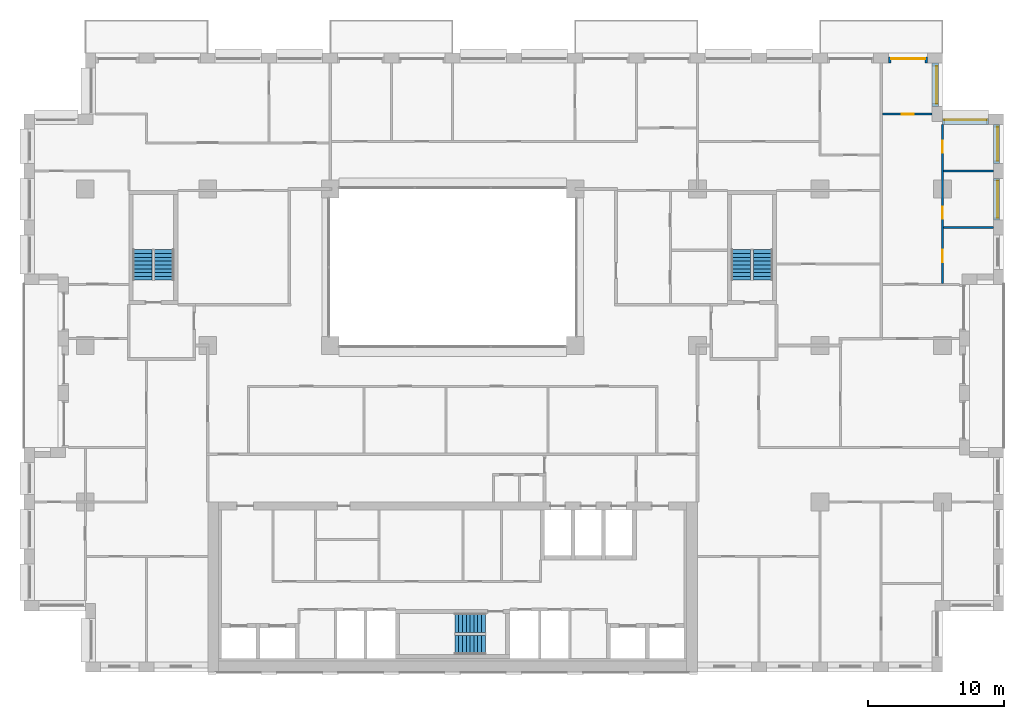
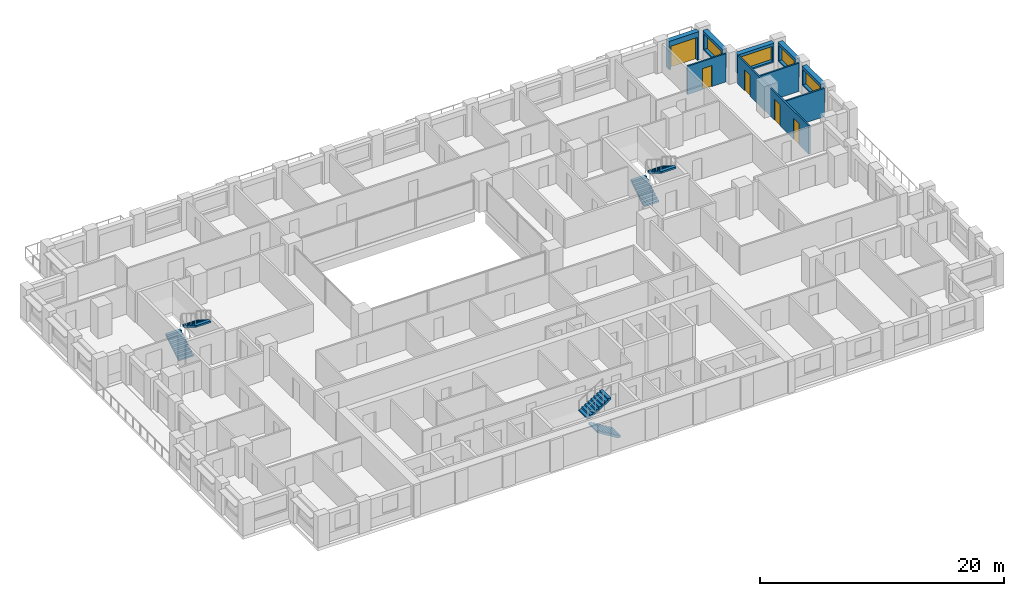
# One storey, part 15 of 17: 9 walls, 6 stair flights, 5 doors, 4 windows, 9 openings, 3 elements without a shape of their own.
"""IFC4 building model written with IfcOpenShell, lengths in metres."""

from ifc_helpers import new_model, si_unit, direction, frame, frame_2d, origin, place, context, subcontext, project, spatial, polyline, rectangle, outline, extrude, material, layer, layer_set, type_object, element, fill, aggregate, save


model = new_model("IFC4")

# Units and contexts
model_context = context("Model", 3, precision=1e-05, world=origin(), true_north=direction((0.0, 1.0)))
body_context = subcontext(model_context, "Body", "Model", "MODEL_VIEW")
ifc_project = project(units=[si_unit("LENGTHUNIT", "METRE"), si_unit("AREAUNIT", "SQUARE_METRE"), si_unit("VOLUMEUNIT", "CUBIC_METRE"), si_unit("PLANEANGLEUNIT", "RADIAN"), si_unit("MASSUNIT", "GRAM", prefix="KILO")], contexts=[model_context])

# Site, building, storey
site_placement = place(None, origin())
site = spatial("IfcSite", under=ifc_project, at=site_placement, CompositionType="ELEMENT")
building_placement = place(site_placement, origin())
building = spatial("IfcBuilding", under=site, at=building_placement, Name="Brigalow Station Residences", CompositionType="ELEMENT")
storey_placement = place(building_placement, frame((0.0, 0.0, 111.89990234375)))
storey = spatial("IfcBuildingStorey", under=building, at=storey_placement, Name="L32", CompositionType="ELEMENT", Elevation=111.89990234375)

# Wall, opening, window
ifc_material_1 = material(Name="Clay brick masonry", Category="masonry")
ifc_layer_1 = layer(ifc_material_1, 0.449951171875)
ifc_layer_set_1 = layer_set([ifc_layer_1], Name="BRICK INFILL WALL 450")
wall_type_1 = type_object("IfcWallType", Name="BRICK INFILL WALL 450", PredefinedType="SOLIDWALL", material=ifc_layer_set_1)
wall_1_placement = place(storey_placement, frame((75.97509765625, 33.217041015625, 0.900146484375), z_axis=(0.0, 0.0, 1.0), x_axis=(0.0, 1.0, 0.0)))
wall_1 = element("IfcWall", 1, at=wall_1_placement, inside=storey, type_object=wall_type_1, Name="L32/ewall/W-L32-19", PredefinedType="SOLIDWALL", context=body_context, shape_type="SweptSolid", body=[
    extrude(rectangle(XDim=3.06591796875, YDim=0.449951171875, at=frame_2d((1.532958984375, 0.0))), origin(), (0.0, 0.0, 1.0), 1.929931640625),
])
opening_1_placement = place(wall_1_placement, frame((0.157958984375, 0.0, 0.14990234375)))
opening_1 = element("IfcOpeningElement", 2, at=opening_1_placement, cuts=wall_1, Name="Opening WT-3", PredefinedType="OPENING", context=body_context, shape_type="SweptSolid", body=[
    extrude(rectangle(XDim=2.75, YDim=1.5, at=frame_2d((1.375, 0.75))), frame((0.0, 0.23486328125, 0.0), z_axis=(0.0, -1.0, 0.0), x_axis=(1.0, 0.0, 0.0)), (0.0, 0.0, 1.0), 0.469970703125),
])
ifc_material_2 = material(Name="Anodised aluminium frame with double glazing", Category="aluminium")
window_type_1 = type_object("IfcWindowType", Name="WINDOW 2750x1500", PartitioningType="SINGLE_PANEL", PredefinedType="WINDOW", material=ifc_material_2)
window_1_placement = place(opening_1_placement, origin())
window_1 = element("IfcWindow", 3, at=window_1_placement, inside=storey, type_object=window_type_1, Name="L32/window/W-L32-19", OverallHeight=1.5, OverallWidth=2.75, PartitioningType="SINGLE_PANEL", PredefinedType="WINDOW", context=body_context, shape_type="SweptSolid", body=[
    extrude(rectangle(XDim=2.75, YDim=1.5, at=frame_2d((1.375, 0.75))), frame((0.0, -0.06494140625, 0.0), z_axis=(0.0, -1.0, 0.0), x_axis=(1.0, 0.0, 0.0)), (0.0, 0.0, 1.0), 0.06005859375),
])
fill(opening_1, window_1)

wall_2_placement = place(storey_placement, frame((75.97509765625, 37.383056640625, 0.900146484375), z_axis=(0.0, 0.0, 1.0), x_axis=(0.0, 1.0, 0.0)))
wall_2 = element("IfcWall", 4, at=wall_2_placement, inside=storey, type_object=wall_type_1, Name="L32/ewall/W-L32-20", PredefinedType="SOLIDWALL", context=body_context, shape_type="SweptSolid", body=[
    extrude(rectangle(XDim=2.866943359375, YDim=0.449951171875, at=frame_2d((1.43359375, 0.0))), origin(), (0.0, 0.0, 1.0), 1.929931640625),
])
opening_2_placement = place(wall_2_placement, frame((0.18359375, 0.0, 0.14990234375)))
opening_2 = element("IfcOpeningElement", 5, at=opening_2_placement, cuts=wall_2, Name="Opening WT-5", PredefinedType="OPENING", context=body_context, shape_type="SweptSolid", body=[
    extrude(rectangle(XDim=2.5, YDim=1.5, at=frame_2d((1.25, 0.75))), frame((0.0, 0.23486328125, 0.0), z_axis=(0.0, -1.0, 0.0), x_axis=(1.0, 0.0, 0.0)), (0.0, 0.0, 1.0), 0.469970703125),
])
ifc_material_3 = material(Name="Anodised aluminium frame with double glazing", Category="aluminium")
window_type_2 = type_object("IfcWindowType", Name="WINDOW 2500x1500", PartitioningType="SINGLE_PANEL", PredefinedType="WINDOW", material=ifc_material_3)
window_2_placement = place(opening_2_placement, origin())
window_2 = element("IfcWindow", 6, at=window_2_placement, inside=storey, type_object=window_type_2, Name="L32/window/W-L32-20", OverallHeight=1.5, OverallWidth=2.5, PartitioningType="SINGLE_PANEL", PredefinedType="WINDOW", context=body_context, shape_type="SweptSolid", body=[
    extrude(rectangle(XDim=2.5, YDim=1.5, at=frame_2d((1.25, 0.75))), frame((0.0, -0.06494140625, 0.0), z_axis=(0.0, -1.0, 0.0), x_axis=(1.0, 0.0, 0.0)), (0.0, 0.0, 1.0), 0.06005859375),
])
fill(opening_2, window_2)

wall_3_placement = place(storey_placement, frame((75.39990234375, 40.47509765625, 0.900146484375), z_axis=(0.0, 0.0, 1.0), x_axis=(-1.0, 0.0, 0.0)))
wall_3 = element("IfcWall", 7, at=wall_3_placement, inside=storey, type_object=wall_type_1, Name="L32/ewall/W-L32-21", PredefinedType="SOLIDWALL", context=body_context, shape_type="SweptSolid", body=[
    extrude(rectangle(XDim=3.39990234375, YDim=0.449951171875, at=frame_2d((1.699951171875, 0.0))), origin(), (0.0, 0.0, 1.0), 1.929931640625),
])
opening_3_placement = place(wall_3_placement, frame((0.14990234375, 0.0, 0.14990234375)))
opening_3 = element("IfcOpeningElement", 8, at=opening_3_placement, cuts=wall_3, Name="Opening WT-8", PredefinedType="OPENING", context=body_context, shape_type="SweptSolid", body=[
    extrude(rectangle(XDim=3.10009765625, YDim=1.5, at=frame_2d((1.550048828125, 0.75))), frame((0.0, 0.23486328125, 0.0), z_axis=(0.0, -1.0, 0.0), x_axis=(1.0, 0.0, 0.0)), (0.0, 0.0, 1.0), 0.469970703125),
])
ifc_material_4 = material(Name="Anodised aluminium frame with double glazing", Category="aluminium")
window_type_3 = type_object("IfcWindowType", Name="WINDOW 3100x1500", PartitioningType="SINGLE_PANEL", PredefinedType="WINDOW", material=ifc_material_4)
window_3_placement = place(opening_3_placement, origin())
window_3 = element("IfcWindow", 9, at=window_3_placement, inside=storey, type_object=window_type_3, Name="L32/window/W-L32-21", OverallHeight=1.5, OverallWidth=3.10009765625, PartitioningType="SINGLE_PANEL", PredefinedType="WINDOW", context=body_context, shape_type="SweptSolid", body=[
    extrude(rectangle(XDim=3.10009765625, YDim=1.5, at=frame_2d((1.550048828125, 0.75))), frame((0.0, -0.06494140625, 0.0), z_axis=(0.0, -1.0, 0.0), x_axis=(1.0, 0.0, 0.0)), (0.0, 0.0, 1.0), 0.06005859375),
])
fill(opening_3, window_3)

wall_4_placement = place(storey_placement, frame((71.47509765625, 41.550048828125, 0.900146484375), z_axis=(0.0, 0.0, 1.0), x_axis=(0.0, 1.0, 0.0)))
wall_4 = element("IfcWall", 10, at=wall_4_placement, inside=storey, type_object=wall_type_1, Name="L32/ewall/W-L32-22", PredefinedType="SOLIDWALL", context=body_context, shape_type="SweptSolid", body=[
    extrude(rectangle(XDim=3.199951171875, YDim=0.449951171875, at=frame_2d((1.60009765625, 0.0))), origin(), (0.0, 0.0, 1.0), 1.929931640625),
])
opening_4_placement = place(wall_4_placement, frame((0.22509765625, 0.0, 0.14990234375)))
opening_4 = element("IfcOpeningElement", 11, at=opening_4_placement, cuts=wall_4, Name="Opening WT-3", PredefinedType="OPENING", context=body_context, shape_type="SweptSolid", body=[
    extrude(rectangle(XDim=2.75, YDim=1.5, at=frame_2d((1.375, 0.75))), frame((0.0, 0.23486328125, 0.0), z_axis=(0.0, -1.0, 0.0), x_axis=(1.0, 0.0, 0.0)), (0.0, 0.0, 1.0), 0.469970703125),
])
window_4_placement = place(opening_4_placement, origin())
window_4 = element("IfcWindow", 12, at=window_4_placement, inside=storey, type_object=window_type_1, Name="L32/window/W-L32-22", OverallHeight=1.5, OverallWidth=2.75, PartitioningType="SINGLE_PANEL", PredefinedType="WINDOW", context=body_context, shape_type="SweptSolid", body=[
    extrude(rectangle(XDim=2.75, YDim=1.5, at=frame_2d((1.375, 0.75))), frame((0.0, -0.06494140625, 0.0), z_axis=(0.0, -1.0, 0.0), x_axis=(1.0, 0.0, 0.0)), (0.0, 0.0, 1.0), 0.06005859375),
])
fill(opening_4, window_4)

# Wall, opening, door
wall_5_placement = place(storey_placement, frame((70.89990234375, 44.97509765625, 0.0), z_axis=(0.0, 0.0, 1.0), x_axis=(-1.0, 0.0, 0.0)))
wall_5 = element("IfcWall", 13, at=wall_5_placement, inside=storey, type_object=wall_type_1, Name="L32/ewall/W-L32-23", PredefinedType="SOLIDWALL", context=body_context, shape_type="SweptSolid", body=[
    extrude(rectangle(XDim=2.849853515625, YDim=0.449951171875, at=frame_2d((1.4248046875, 0.0))), origin(), (0.0, 0.0, 1.0), 2.830078125),
])
opening_5_placement = place(wall_5_placement, frame((0.175048828125, 0.0, 0.0)))
opening_5 = element("IfcOpeningElement", 14, at=opening_5_placement, cuts=wall_5, Name="Opening D-B2500", PredefinedType="OPENING", context=body_context, shape_type="SweptSolid", body=[
    extrude(rectangle(XDim=2.5, YDim=2.300048828125, at=frame_2d((1.25, 1.14990234375))), frame((0.0, 0.23486328125, 0.0), z_axis=(0.0, -1.0, 0.0), x_axis=(1.0, 0.0, 0.0)), (0.0, 0.0, 1.0), 0.469970703125),
])
ifc_material_5 = material(Name="Anodised aluminium frame with double glazing", Category="aluminium")
door_type_1 = type_object("IfcDoorType", Name="BALCONY SLIDING DOOR 2500x2300", OperationType="SLIDING_TO_LEFT", PredefinedType="DOOR", material=ifc_material_5)
door_1_placement = place(opening_5_placement, origin())
door_1 = element("IfcDoor", 15, at=door_1_placement, inside=storey, type_object=door_type_1, Name="L32/balcony-door/W-L32-23", OperationType="SLIDING_TO_LEFT", OverallHeight=2.300048828125, OverallWidth=2.5, PredefinedType="DOOR", context=body_context, shape_type="SweptSolid", body=[
    extrude(rectangle(XDim=2.5, YDim=2.300048828125, at=frame_2d((1.25, 1.14990234375))), frame((0.0, -0.06982421875, 0.0), z_axis=(0.0, -1.0, 0.0), x_axis=(1.0, 0.0, 0.0)), (0.0, 0.0, 1.0), 0.050048828125),
])
fill(opening_5, door_1)

# Wall
ifc_material_6 = material(Name="Plasterboard on steel stud partition", Category="steel")
ifc_layer_2 = layer(ifc_material_6, 0.14990234375)
ifc_layer_set_2 = layer_set([ifc_layer_2], Name="FLAT PARTITION 150")
wall_type_2 = type_object("IfcWallType", Name="FLAT PARTITION 150", PredefinedType="PARTITIONING", material=ifc_layer_set_2)
wall_6_placement = place(storey_placement, frame((72.074951171875, 36.8330078125, 0.0), z_axis=(0.0, 0.0, 1.0), x_axis=(1.0, 0.0, 0.0)))
element("IfcWall", 16, at=wall_6_placement, inside=storey, type_object=wall_type_2, Name="PW-2D22", PredefinedType="PARTITIONING", context=body_context, shape_type="SweptSolid", body=[
    extrude(rectangle(XDim=3.675048828125, YDim=0.14990234375, at=frame_2d((1.83740234375, 0.0))), origin(), (0.0, 0.0, 1.0), 2.830078125),
])

# Wall, opening, door
wall_7_placement = place(storey_placement, frame((67.60009765625, 41.0, 0.0), z_axis=(0.0, 0.0, 1.0), x_axis=(1.0, 0.0, 0.0)))
wall_7 = element("IfcWall", 17, at=wall_7_placement, inside=storey, type_object=wall_type_2, Name="PW-2D28", PredefinedType="PARTITIONING", context=body_context, shape_type="SweptSolid", body=[
    extrude(rectangle(XDim=3.64990234375, YDim=0.14990234375, at=frame_2d((1.824951171875, 0.0))), origin(), (0.0, 0.0, 1.0), 2.830078125),
])
opening_6_placement = place(wall_7_placement, frame((1.39990234375, 0.0, 0.0)))
opening_6 = element("IfcOpeningElement", 18, at=opening_6_placement, cuts=wall_7, Name="Opening D-2D47", PredefinedType="OPENING", context=body_context, shape_type="SweptSolid", body=[
    extrude(rectangle(XDim=0.89990234375, YDim=2.10009765625, at=frame_2d((0.449951171875, 1.050048828125))), frame((0.0, 0.0849609375, 0.0), z_axis=(0.0, -1.0, 0.0), x_axis=(1.0, 0.0, 0.0)), (0.0, 0.0, 1.0), 0.169921875),
])
ifc_material_7 = material(Name="Solid-core timber door leaf", Category="wood")
door_type_2 = type_object("IfcDoorType", Name="INTERNAL DOOR 900 x 2100", OperationType="SINGLE_SWING_LEFT", PredefinedType="DOOR", material=ifc_material_7)
door_2_placement = place(opening_6_placement, origin())
door_2 = element("IfcDoor", 19, at=door_2_placement, inside=storey, type_object=door_type_2, Name="D-2D47", OperationType="SINGLE_SWING_RIGHT", OverallHeight=2.10009765625, OverallWidth=0.89990234375, PredefinedType="DOOR", context=body_context, shape_type="SweptSolid", body=[
    extrude(rectangle(XDim=0.89990234375, YDim=2.10009765625, at=frame_2d((0.449951171875, 1.050048828125))), frame((0.0, 0.02490234375, 0.0), z_axis=(0.0, -1.0, 0.0), x_axis=(1.0, 0.0, 0.0)), (0.0, 0.0, 1.0), 0.050048828125),
])
fill(opening_6, door_2)

# Wall
wall_8_placement = place(storey_placement, frame((72.074951171875, 32.6669921875, 0.0), z_axis=(0.0, 0.0, 1.0), x_axis=(1.0, 0.0, 0.0)))
element("IfcWall", 20, at=wall_8_placement, inside=storey, type_object=wall_type_2, Name="PW-2D36", PredefinedType="PARTITIONING", context=body_context, shape_type="SweptSolid", body=[
    extrude(rectangle(XDim=3.675048828125, YDim=0.14990234375, at=frame_2d((1.83740234375, 0.0))), origin(), (0.0, 0.0, 1.0), 2.830078125),
])

# Wall, openings, doors
wall_9_placement = place(storey_placement, frame((72.0, 28.574951171875, 0.0), z_axis=(0.0, 0.0, 1.0), x_axis=(0.0, 1.0, 0.0)))
wall_9 = element("IfcWall", 21, at=wall_9_placement, inside=storey, type_object=wall_type_2, Name="PW-2D67", PredefinedType="PARTITIONING", context=body_context, shape_type="SweptSolid", body=[
    extrude(rectangle(XDim=11.675048828125, YDim=0.14990234375, at=frame_2d((5.83740234375, 0.0))), origin(), (0.0, 0.0, 1.0), 2.830078125),
])
opening_7_placement = place(wall_9_placement, frame((1.55908203125, 0.0, 0.0)))
opening_7 = element("IfcOpeningElement", 22, at=opening_7_placement, cuts=wall_9, Name="Opening D-2D44", PredefinedType="OPENING", context=body_context, shape_type="SweptSolid", body=[
    extrude(rectangle(XDim=0.89990234375, YDim=2.10009765625, at=frame_2d((0.449951171875, 1.050048828125))), frame((0.0, 0.0849609375, 0.0), z_axis=(0.0, -1.0, 0.0), x_axis=(1.0, 0.0, 0.0)), (0.0, 0.0, 1.0), 0.169921875),
])
opening_8_placement = place(wall_9_placement, frame((4.73291015625, 0.0, 0.0)))
opening_8 = element("IfcOpeningElement", 23, at=opening_8_placement, cuts=wall_9, Name="Opening D-2D45", PredefinedType="OPENING", context=body_context, shape_type="SweptSolid", body=[
    extrude(rectangle(XDim=0.89990234375, YDim=2.10009765625, at=frame_2d((0.449951171875, 1.050048828125))), frame((0.0, 0.0849609375, 0.0), z_axis=(0.0, -1.0, 0.0), x_axis=(1.0, 0.0, 0.0)), (0.0, 0.0, 1.0), 0.169921875),
])
opening_9_placement = place(wall_9_placement, frame((9.592041015625, 0.0, 0.0)))
opening_9 = element("IfcOpeningElement", 24, at=opening_9_placement, cuts=wall_9, Name="Opening D-2D46", PredefinedType="OPENING", context=body_context, shape_type="SweptSolid", body=[
    extrude(rectangle(XDim=0.89990234375, YDim=2.10009765625, at=frame_2d((0.449951171875, 1.050048828125))), frame((0.0, 0.0849609375, 0.0), z_axis=(0.0, -1.0, 0.0), x_axis=(1.0, 0.0, 0.0)), (0.0, 0.0, 1.0), 0.169921875),
])
door_3_placement = place(opening_7_placement, frame((0.89990234375, 0.0, 0.0), z_axis=(0.0, 0.0, 1.0), x_axis=(-1.0, 0.0, 0.0)))
door_3 = element("IfcDoor", 25, at=door_3_placement, inside=storey, type_object=door_type_2, Name="D-2D44", OperationType="SINGLE_SWING_LEFT", OverallHeight=2.10009765625, OverallWidth=0.89990234375, PredefinedType="DOOR", context=body_context, shape_type="SweptSolid", body=[
    extrude(rectangle(XDim=0.89990234375, YDim=2.10009765625, at=frame_2d((0.449951171875, 1.050048828125))), frame((0.0, 0.02490234375, 0.0), z_axis=(0.0, -1.0, 0.0), x_axis=(1.0, 0.0, 0.0)), (0.0, 0.0, 1.0), 0.050048828125),
])
fill(opening_7, door_3)
door_4_placement = place(opening_8_placement, frame((0.89990234375, 0.0, 0.0), z_axis=(0.0, 0.0, 1.0), x_axis=(-1.0, 0.0, 0.0)))
door_4 = element("IfcDoor", 26, at=door_4_placement, inside=storey, type_object=door_type_2, Name="D-2D45", OperationType="SINGLE_SWING_RIGHT", OverallHeight=2.10009765625, OverallWidth=0.89990234375, PredefinedType="DOOR", context=body_context, shape_type="SweptSolid", body=[
    extrude(rectangle(XDim=0.89990234375, YDim=2.10009765625, at=frame_2d((0.449951171875, 1.050048828125))), frame((0.0, 0.02490234375, 0.0), z_axis=(0.0, -1.0, 0.0), x_axis=(1.0, 0.0, 0.0)), (0.0, 0.0, 1.0), 0.050048828125),
])
fill(opening_8, door_4)
door_5_placement = place(opening_9_placement, frame((0.89990234375, 0.0, 0.0), z_axis=(0.0, 0.0, 1.0), x_axis=(-1.0, 0.0, 0.0)))
door_5 = element("IfcDoor", 27, at=door_5_placement, inside=storey, type_object=door_type_2, Name="D-2D46", OperationType="SINGLE_SWING_LEFT", OverallHeight=2.10009765625, OverallWidth=0.89990234375, PredefinedType="DOOR", context=body_context, shape_type="SweptSolid", body=[
    extrude(rectangle(XDim=0.89990234375, YDim=2.10009765625, at=frame_2d((0.449951171875, 1.050048828125))), frame((0.0, 0.02490234375, 0.0), z_axis=(0.0, -1.0, 0.0), x_axis=(1.0, 0.0, 0.0)), (0.0, 0.0, 1.0), 0.050048828125),
])
fill(opening_9, door_5)

# Stair, stair flights
ifc_material_8 = material(Name="Concrete C50", Category="concrete")
stair_type = type_object("IfcStairType", Name="EXIT STAIR 1400 2 FLIGHT", PredefinedType="HALF_TURN_STAIR", material=ifc_material_8)
stair_1_placement = place(storey_placement, origin())
stair_1 = element("IfcStair", 28, at=stair_1_placement, inside=storey, type_object=stair_type, Name="EXIT STAIR S2 L32", PredefinedType="HALF_TURN_STAIR")
ifc_material_9 = material(Name="Concrete C50", Category="concrete")
stair_flight_type = type_object("IfcStairFlightType", Name="STAIR FLIGHT 1400", PredefinedType="STRAIGHT", material=ifc_material_9)
stair_flight_1_placement = place(storey_placement, frame((38.39990234375, 2.0, 0.0), z_axis=(0.0, 0.0, 1.0), x_axis=(-1.0, 0.0, 0.0)))
stair_flight_1 = element("IfcStairFlight", 29, at=stair_flight_1_placement, type_object=stair_flight_type, Name="ST-2 flight 1", NumberOfRisers=9, NumberOfTreads=8, PredefinedType="STRAIGHT", RiserHeight=0.175, TreadLength=0.28, context=body_context, shape_type="SweptSolid", body=[
    extrude(outline(polyline([(0.0, 0.0), (0.0, 0.175048828125), (0.280029296875, 0.175048828125), (0.280029296875, 0.35009765625), (0.56005859375, 0.35009765625), (0.56005859375, 0.52490234375), (0.840087890625, 0.52490234375), (0.840087890625, 0.699951171875), (1.1201171875, 0.699951171875), (1.1201171875, 0.875), (1.39990234375, 0.875), (1.39990234375, 1.050048828125), (1.679931640625, 1.050048828125), (1.679931640625, 1.22509765625), (1.9599609375, 1.22509765625), (1.9599609375, 1.39990234375), (2.239990234375, 1.39990234375), (2.239990234375, 1.574951171875), (2.239990234375, 1.22314453125), (0.28271484375, 0.0), (0.0, 0.0)])), frame((0.0, 0.699951171875, 0.0), z_axis=(0.0, -1.0, 0.0), x_axis=(1.0, 0.0, 0.0)), (0.0, 0.0, 1.0), 1.39990234375),
])
stair_flight_2_placement = place(storey_placement, frame((36.159912109375, 3.60009765625, 1.5751953125), z_axis=(0.0, 0.0, 1.0), x_axis=(1.0, 0.0, 0.0)))
stair_flight_2 = element("IfcStairFlight", 30, at=stair_flight_2_placement, type_object=stair_flight_type, Name="ST-2 flight 2", NumberOfRisers=9, NumberOfTreads=8, PredefinedType="STRAIGHT", RiserHeight=0.175, TreadLength=0.28, context=body_context, shape_type="SweptSolid", body=[
    extrude(outline(polyline([(0.0, 0.0), (0.0, 0.175048828125), (0.280029296875, 0.175048828125), (0.280029296875, 0.35009765625), (0.56005859375, 0.35009765625), (0.56005859375, 0.52490234375), (0.840087890625, 0.52490234375), (0.840087890625, 0.699951171875), (1.1201171875, 0.699951171875), (1.1201171875, 0.875), (1.39990234375, 0.875), (1.39990234375, 1.050048828125), (1.679931640625, 1.050048828125), (1.679931640625, 1.22509765625), (1.9599609375, 1.22509765625), (1.9599609375, 1.39990234375), (2.239990234375, 1.39990234375), (2.239990234375, 1.574951171875), (2.239990234375, 1.22314453125), (0.28271484375, 0.0), (0.0, 0.0)])), frame((0.0, 0.699951171875, 0.0), z_axis=(0.0, -1.0, 0.0), x_axis=(1.0, 0.0, 0.0)), (0.0, 0.0, 1.0), 1.39990234375),
])
aggregate(stair_1, [stair_flight_1, stair_flight_2])

stair_2_placement = place(storey_placement, origin())
stair_2 = element("IfcStair", 31, at=stair_2_placement, inside=storey, type_object=stair_type, Name="EXIT STAIR S1 L32", PredefinedType="HALF_TURN_STAIR")
stair_flight_3_placement = place(storey_placement, frame((13.199951171875, 28.800048828125, 0.0), z_axis=(0.0, 0.0, 1.0), x_axis=(0.0, 1.0, 0.0)))
stair_flight_3 = element("IfcStairFlight", 32, at=stair_flight_3_placement, type_object=stair_flight_type, Name="ST-1 flight 1", NumberOfRisers=9, NumberOfTreads=8, PredefinedType="STRAIGHT", RiserHeight=0.175, TreadLength=0.28, context=body_context, shape_type="SweptSolid", body=[
    extrude(outline(polyline([(0.0, 0.0), (0.0, 0.175048828125), (0.280029296875, 0.175048828125), (0.280029296875, 0.35009765625), (0.56005859375, 0.35009765625), (0.56005859375, 0.52490234375), (0.840087890625, 0.52490234375), (0.840087890625, 0.699951171875), (1.1201171875, 0.699951171875), (1.1201171875, 0.875), (1.39990234375, 0.875), (1.39990234375, 1.050048828125), (1.679931640625, 1.050048828125), (1.679931640625, 1.22509765625), (1.9599609375, 1.22509765625), (1.9599609375, 1.39990234375), (2.239990234375, 1.39990234375), (2.239990234375, 1.574951171875), (2.239990234375, 1.22314453125), (0.28271484375, 0.0), (0.0, 0.0)])), frame((0.0, 0.699951171875, 0.0), z_axis=(0.0, -1.0, 0.0), x_axis=(1.0, 0.0, 0.0)), (0.0, 0.0, 1.0), 1.39990234375),
])
stair_flight_4_placement = place(storey_placement, frame((14.800048828125, 31.0400390625, 1.5751953125), z_axis=(0.0, 0.0, 1.0), x_axis=(0.0, -1.0, 0.0)))
stair_flight_4 = element("IfcStairFlight", 33, at=stair_flight_4_placement, type_object=stair_flight_type, Name="ST-1 flight 2", NumberOfRisers=9, NumberOfTreads=8, PredefinedType="STRAIGHT", RiserHeight=0.175, TreadLength=0.28, context=body_context, shape_type="SweptSolid", body=[
    extrude(outline(polyline([(0.0, 0.0), (0.0, 0.175048828125), (0.280029296875, 0.175048828125), (0.280029296875, 0.35009765625), (0.56005859375, 0.35009765625), (0.56005859375, 0.52490234375), (0.840087890625, 0.52490234375), (0.840087890625, 0.699951171875), (1.1201171875, 0.699951171875), (1.1201171875, 0.875), (1.39990234375, 0.875), (1.39990234375, 1.050048828125), (1.679931640625, 1.050048828125), (1.679931640625, 1.22509765625), (1.9599609375, 1.22509765625), (1.9599609375, 1.39990234375), (2.239990234375, 1.39990234375), (2.239990234375, 1.574951171875), (2.239990234375, 1.22314453125), (0.28271484375, 0.0), (0.0, 0.0)])), frame((0.0, 0.699951171875, 0.0), z_axis=(0.0, -1.0, 0.0), x_axis=(1.0, 0.0, 0.0)), (0.0, 0.0, 1.0), 1.39990234375),
])
aggregate(stair_2, [stair_flight_3, stair_flight_4])

stair_3_placement = place(storey_placement, origin())
stair_3 = element("IfcStair", 34, at=stair_3_placement, inside=storey, type_object=stair_type, Name="EXIT STAIR S3 L32", PredefinedType="HALF_TURN_STAIR")
stair_flight_5_placement = place(storey_placement, frame((57.199951171875, 28.800048828125, 0.0), z_axis=(0.0, 0.0, 1.0), x_axis=(0.0, 1.0, 0.0)))
stair_flight_5 = element("IfcStairFlight", 35, at=stair_flight_5_placement, type_object=stair_flight_type, Name="ST-3 flight 1", NumberOfRisers=9, NumberOfTreads=8, PredefinedType="STRAIGHT", RiserHeight=0.175, TreadLength=0.28, context=body_context, shape_type="SweptSolid", body=[
    extrude(outline(polyline([(0.0, 0.0), (0.0, 0.175048828125), (0.280029296875, 0.175048828125), (0.280029296875, 0.35009765625), (0.56005859375, 0.35009765625), (0.56005859375, 0.52490234375), (0.840087890625, 0.52490234375), (0.840087890625, 0.699951171875), (1.1201171875, 0.699951171875), (1.1201171875, 0.875), (1.39990234375, 0.875), (1.39990234375, 1.050048828125), (1.679931640625, 1.050048828125), (1.679931640625, 1.22509765625), (1.9599609375, 1.22509765625), (1.9599609375, 1.39990234375), (2.239990234375, 1.39990234375), (2.239990234375, 1.574951171875), (2.239990234375, 1.22314453125), (0.28271484375, 0.0), (0.0, 0.0)])), frame((0.0, 0.699951171875, 0.0), z_axis=(0.0, -1.0, 0.0), x_axis=(1.0, 0.0, 0.0)), (0.0, 0.0, 1.0), 1.39990234375),
])
stair_flight_6_placement = place(storey_placement, frame((58.800048828125, 31.0400390625, 1.5751953125), z_axis=(0.0, 0.0, 1.0), x_axis=(0.0, -1.0, 0.0)))
stair_flight_6 = element("IfcStairFlight", 36, at=stair_flight_6_placement, type_object=stair_flight_type, Name="ST-3 flight 2", NumberOfRisers=9, NumberOfTreads=8, PredefinedType="STRAIGHT", RiserHeight=0.175, TreadLength=0.28, context=body_context, shape_type="SweptSolid", body=[
    extrude(outline(polyline([(0.0, 0.0), (0.0, 0.175048828125), (0.280029296875, 0.175048828125), (0.280029296875, 0.35009765625), (0.56005859375, 0.35009765625), (0.56005859375, 0.52490234375), (0.840087890625, 0.52490234375), (0.840087890625, 0.699951171875), (1.1201171875, 0.699951171875), (1.1201171875, 0.875), (1.39990234375, 0.875), (1.39990234375, 1.050048828125), (1.679931640625, 1.050048828125), (1.679931640625, 1.22509765625), (1.9599609375, 1.22509765625), (1.9599609375, 1.39990234375), (2.239990234375, 1.39990234375), (2.239990234375, 1.574951171875), (2.239990234375, 1.22314453125), (0.28271484375, 0.0), (0.0, 0.0)])), frame((0.0, 0.699951171875, 0.0), z_axis=(0.0, -1.0, 0.0), x_axis=(1.0, 0.0, 0.0)), (0.0, 0.0, 1.0), 1.39990234375),
])
aggregate(stair_3, [stair_flight_5, stair_flight_6])

save(model, "model.ifc")
